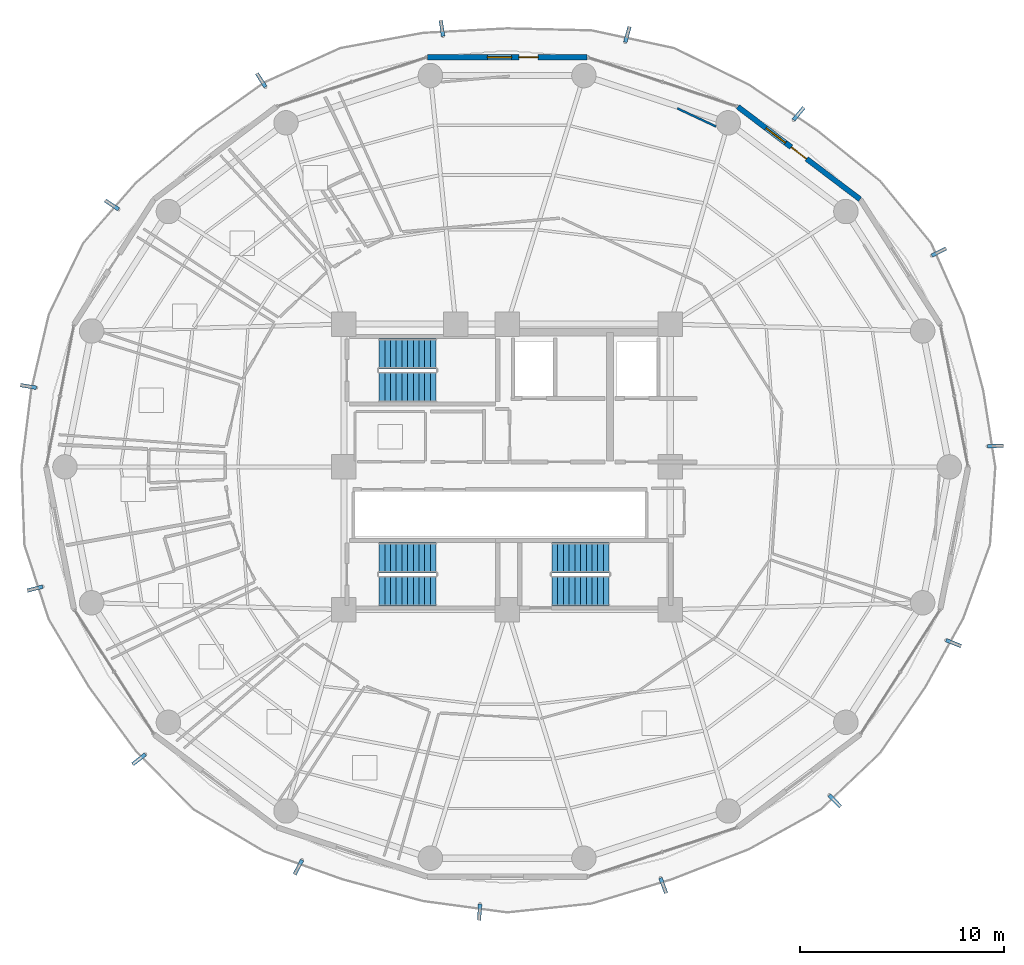
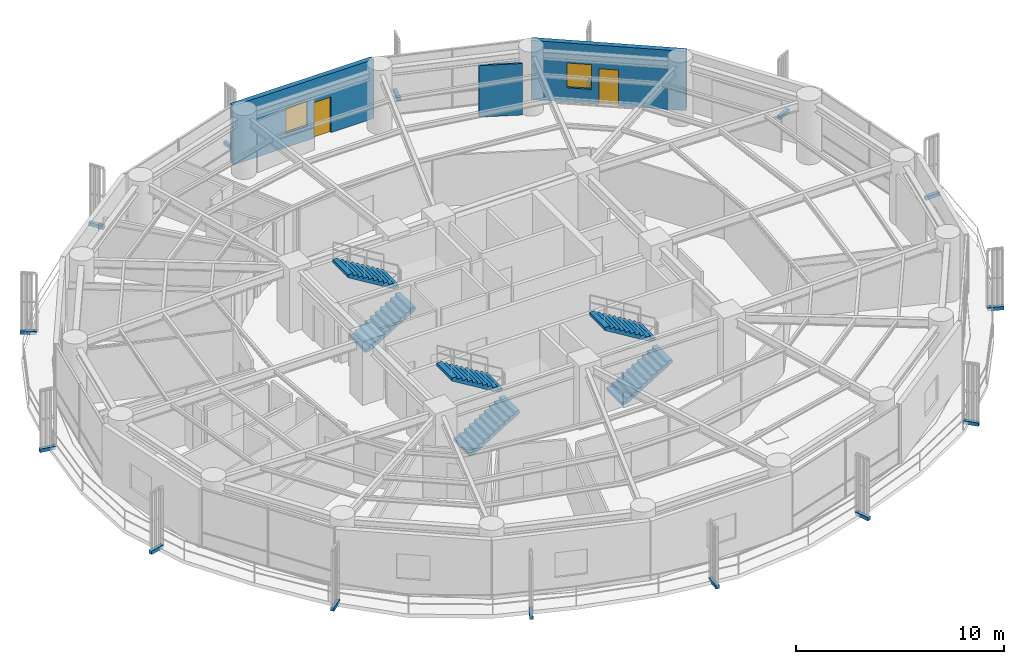
# One storey, part 24 of 28: 15 discrete accessories, 6 stair flights, 3 walls, 2 doors, 2 windows, 4 openings, 3 elements without a shape of their own.
"""IFC4 building model written with IfcOpenShell, lengths in metres."""

from ifc_helpers import new_model, si_unit, direction, frame, frame_2d, origin, origin_2d, place, context, subcontext, project, spatial, polyline, rectangle, outline, extrude, source, transform, mapped, material, layer, layer_set, type_object, element, fill, aggregate, save


model = new_model("IFC4")

# Units and contexts
model_context = context("Model", 3, precision=1e-05, world=origin(), true_north=direction((0.0, 1.0)))
body_context = subcontext(model_context, "Body", "Model", "MODEL_VIEW")
ifc_project = project(units=[si_unit("LENGTHUNIT", "METRE"), si_unit("AREAUNIT", "SQUARE_METRE"), si_unit("VOLUMEUNIT", "CUBIC_METRE"), si_unit("PLANEANGLEUNIT", "RADIAN"), si_unit("MASSUNIT", "GRAM", prefix="KILO")], contexts=[model_context])

# Site, building, storey
site_placement = place(None, origin())
site = spatial("IfcSite", under=ifc_project, at=site_placement, CompositionType="ELEMENT")
building_placement = place(site_placement, origin())
building = spatial("IfcBuilding", under=site, at=building_placement, Name="Kelanora Arch Commons", CompositionType="ELEMENT")
storey_placement = place(building_placement, frame((0.0, 0.0, 180.60009765625)))
storey = spatial("IfcBuildingStorey", under=building, at=storey_placement, Name="L46", CompositionType="ELEMENT", Elevation=180.60009765625)

# Wall, openings, door, window
ifc_material_1 = material(Name="Precast concrete C40/50 with terracotta rainscreen", Category="masonry")
ifc_layer_1 = layer(ifc_material_1, 0.260009765625)
ifc_layer_set_1 = layer_set([ifc_layer_1], Name="Precast concrete C40/50 with terracotta rainscreen")
wall_type_1 = type_object("IfcWallType", Name="W-EXT-TC", PredefinedType="SOLIDWALL", material=ifc_layer_set_1)
wall_1_placement = place(storey_placement, frame((91.300537109375, 71.1220703125, 0.0), z_axis=(0.0, 0.0, 1.0), x_axis=(-0.797163719609, 0.603763202042, 0.0)))
wall_1 = element("IfcWall", 1, at=wall_1_placement, inside=storey, type_object=wall_type_1, Name="Terracotta Exterior Wall L46-B02", PredefinedType="SOLIDWALL", context=body_context, shape_type="SweptSolid", body=[
    extrude(rectangle(XDim=7.51220703125, YDim=0.260009765625, at=frame_2d((3.756103515625, 0.0))), origin(), (0.0, 0.0, 1.0), 3.474853515625),
])
opening_1_placement = place(wall_1_placement, frame((3.281005859375, 0.0, 0.0)))
opening_1 = element("IfcOpeningElement", 2, at=opening_1_placement, cuts=wall_1, Name="Opening DB-01", PredefinedType="OPENING", context=body_context, shape_type="SweptSolid", body=[
    extrude(rectangle(XDim=0.949951171875, YDim=2.10009765625, at=frame_2d((0.47509765625, 1.050048828125))), frame((0.0, 0.14013671875, 0.0), z_axis=(0.0, -1.0, 0.0), x_axis=(1.0, 0.0, 0.0)), (0.0, 0.0, 1.0), 0.280029296875),
])
opening_2_placement = place(wall_1_placement, frame((4.5810546875, 0.0, 0.85009765625)))
opening_2 = element("IfcOpeningElement", 3, at=opening_2_placement, cuts=wall_1, Name="Opening WN-02", PredefinedType="OPENING", context=body_context, shape_type="SweptSolid", body=[
    extrude(rectangle(XDim=1.199951171875, YDim=1.449951171875, at=frame_2d((0.60009765625, 0.72509765625))), frame((0.0, 0.14013671875, 0.0), z_axis=(0.0, -1.0, 0.0), x_axis=(1.0, 0.0, 0.0)), (0.0, 0.0, 1.0), 0.280029296875),
])
ifc_material_2 = material(Name="Terracotta-aluminium thermally broken glazed balcony door", Category="masonry")
door_type = type_object("IfcDoorType", Name="D-BAL-10", OperationType="NOTDEFINED", PredefinedType="DOOR", material=ifc_material_2)
door_1_placement = place(opening_1_placement, frame((0.949951171875, 0.0, 0.0), z_axis=(0.0, 0.0, 1.0), x_axis=(-1.0, 0.0, 0.0)))
door_1 = element("IfcDoor", 4, at=door_1_placement, inside=storey, type_object=door_type, Name="Wave Balcony Door L46-B02", OperationType="SINGLE_SWING_LEFT", OverallHeight=2.10009765625, OverallWidth=0.949951171875, PredefinedType="DOOR", context=body_context, shape_type="SweptSolid", body=[
    extrude(rectangle(XDim=0.949951171875, YDim=2.10009765625, at=frame_2d((0.47509765625, 1.050048828125))), frame((0.0, 0.02490234375, 0.0), z_axis=(0.0, -1.0, 0.0), x_axis=(1.0, 0.0, 0.0)), (0.0, 0.0, 1.0), 0.050048828125),
])
fill(opening_1, door_1)
ifc_material_3 = material(Name="Terracotta-anodised aluminium frame with operable awning sash", Category="masonry")
window_type = type_object("IfcWindowType", Name="WIN-CL-12", PartitioningType="SINGLE_PANEL", PredefinedType="WINDOW", material=ifc_material_3)
window_1_placement = place(opening_2_placement, origin())
window_1 = element("IfcWindow", 5, at=window_1_placement, inside=storey, type_object=window_type, Name="Co-Living Operable Window L46-B02", OverallHeight=1.449951171875, OverallWidth=1.199951171875, PartitioningType="SINGLE_PANEL", PredefinedType="WINDOW", context=body_context, shape_type="SweptSolid", body=[
    extrude(rectangle(XDim=1.199951171875, YDim=1.449951171875, at=frame_2d((0.60009765625, 0.72509765625))), frame((0.0, 0.030029296875, 0.0), z_axis=(0.0, -1.0, 0.0), x_axis=(1.0, 0.0, 0.0)), (0.0, 0.0, 1.0), 0.06005859375),
])
fill(opening_2, window_1)

wall_2_placement = place(storey_placement, frame((77.909423828125, 78.090087890625, 0.0), z_axis=(0.0, 0.0, 1.0), x_axis=(-1.0, 0.0, 0.0)))
wall_2 = element("IfcWall", 6, at=wall_2_placement, inside=storey, type_object=wall_type_1, Name="Terracotta Exterior Wall L46-B04", PredefinedType="SOLIDWALL", context=body_context, shape_type="SweptSolid", body=[
    extrude(rectangle(XDim=7.81884765625, YDim=0.260009765625, at=frame_2d((3.909423828125, 0.0))), origin(), (0.0, 0.0, 1.0), 3.474853515625),
])
opening_3_placement = place(wall_2_placement, frame((2.384033203125, 0.0, 0.0)))
opening_3 = element("IfcOpeningElement", 7, at=opening_3_placement, cuts=wall_2, Name="Opening DB-01", PredefinedType="OPENING", context=body_context, shape_type="SweptSolid", body=[
    extrude(rectangle(XDim=0.949951171875, YDim=2.10009765625, at=frame_2d((0.47509765625, 1.050048828125))), frame((0.0, 0.14013671875, 0.0), z_axis=(0.0, -1.0, 0.0), x_axis=(1.0, 0.0, 0.0)), (0.0, 0.0, 1.0), 0.280029296875),
])
opening_4_placement = place(wall_2_placement, frame((3.68408203125, 0.0, 0.85009765625)))
opening_4 = element("IfcOpeningElement", 8, at=opening_4_placement, cuts=wall_2, Name="Opening WN-02", PredefinedType="OPENING", context=body_context, shape_type="SweptSolid", body=[
    extrude(rectangle(XDim=1.199951171875, YDim=1.449951171875, at=frame_2d((0.60009765625, 0.72509765625))), frame((0.0, 0.14013671875, 0.0), z_axis=(0.0, -1.0, 0.0), x_axis=(1.0, 0.0, 0.0)), (0.0, 0.0, 1.0), 0.280029296875),
])
door_2_placement = place(opening_3_placement, frame((0.949951171875, 0.0, 0.0), z_axis=(0.0, 0.0, 1.0), x_axis=(-1.0, 0.0, 0.0)))
door_2 = element("IfcDoor", 9, at=door_2_placement, inside=storey, type_object=door_type, Name="Wave Balcony Door L46-B04", OperationType="SINGLE_SWING_LEFT", OverallHeight=2.10009765625, OverallWidth=0.949951171875, PredefinedType="DOOR", context=body_context, shape_type="SweptSolid", body=[
    extrude(rectangle(XDim=0.949951171875, YDim=2.10009765625, at=frame_2d((0.47509765625, 1.050048828125))), frame((0.0, 0.02490234375, 0.0), z_axis=(0.0, -1.0, 0.0), x_axis=(1.0, 0.0, 0.0)), (0.0, 0.0, 1.0), 0.050048828125),
])
fill(opening_3, door_2)
window_2_placement = place(opening_4_placement, origin())
window_2 = element("IfcWindow", 10, at=window_2_placement, inside=storey, type_object=window_type, Name="Co-Living Operable Window L46-B04", OverallHeight=1.449951171875, OverallWidth=1.199951171875, PartitioningType="SINGLE_PANEL", PredefinedType="WINDOW", context=body_context, shape_type="SweptSolid", body=[
    extrude(rectangle(XDim=1.199951171875, YDim=1.449951171875, at=frame_2d((0.60009765625, 0.72509765625))), frame((0.0, 0.030029296875, 0.0), z_axis=(0.0, -1.0, 0.0), x_axis=(1.0, 0.0, 0.0)), (0.0, 0.0, 1.0), 0.06005859375),
])
fill(opening_4, window_2)

# Wall
ifc_material_4 = material(Name="Lightweight fire-rated acoustic stud partition")
ifc_layer_2 = layer(ifc_material_4, 0.10009765625)
ifc_layer_set_2 = layer_set([ifc_layer_2], Name="Lightweight fire-rated acoustic stud partition")
wall_type_2 = type_object("IfcWallType", Name="W-PART-100", PredefinedType="PARTITIONING", material=ifc_layer_set_2)
wall_3_placement = place(storey_placement, frame((82.34375, 75.57861328125, 0.0), z_axis=(0.0, 0.0, 1.0), x_axis=(0.905482711563, -0.424383151246, 0.0)))
element("IfcWall", 11, at=wall_3_placement, inside=storey, type_object=wall_type_2, Name="North-East Quiet Study Commons L46 Enclosure Partition 7", PredefinedType="PARTITIONING", context=body_context, shape_type="SweptSolid", body=[
    extrude(rectangle(XDim=2.096435546875, YDim=0.10009765625, at=frame_2d((1.04833984375, 0.0))), origin(), (0.0, 0.0, 1.0), 3.02490234375),
])

# Stair, stair flights
ifc_material_5 = material(Name="Concrete C40/50", Category="concrete")
stair_type = type_object("IfcStairType", Name="STR-DL-375", PredefinedType="HALF_TURN_STAIR", material=ifc_material_5)
stair_1_placement = place(storey_placement, origin())
stair_1 = element("IfcStair", 12, at=stair_1_placement, inside=storey, type_object=stair_type, Name="L46 ST-T1", PredefinedType="HALF_TURN_STAIR")
stair_flight_type = type_object("IfcStairFlightType", Name="FLT-DL-375", PredefinedType="STRAIGHT", material=ifc_material_5)
stair_flight_1_placement = place(storey_placement, frame((67.719970703125, 61.919921875, 0.0), z_axis=(0.0, 0.0, 1.0), x_axis=(1.0, 0.0, 0.0)))
stair_flight_1 = element("IfcStairFlight", 13, at=stair_flight_1_placement, type_object=stair_flight_type, Name="ST-T1 flight 1", NumberOfRisers=11, NumberOfTreads=10, PredefinedType="STRAIGHT", RiserHeight=0.170454545, TreadLength=0.28, context=body_context, shape_type="SweptSolid", body=[
    extrude(outline(polyline([(0.0, 0.0), (0.0, 0.17041015625), (0.280029296875, 0.17041015625), (0.280029296875, 0.3408203125), (0.56005859375, 0.3408203125), (0.56005859375, 0.511474609375), (0.840087890625, 0.511474609375), (0.840087890625, 0.681884765625), (1.1201171875, 0.681884765625), (1.1201171875, 0.852294921875), (1.39990234375, 0.852294921875), (1.39990234375, 1.022705078125), (1.679931640625, 1.022705078125), (1.679931640625, 1.193115234375), (1.9599609375, 1.193115234375), (1.9599609375, 1.363525390625), (2.239990234375, 1.363525390625), (2.239990234375, 1.5341796875), (2.52001953125, 1.5341796875), (2.52001953125, 1.70458984375), (2.800048828125, 1.70458984375), (2.800048828125, 1.875), (2.800048828125, 1.529052734375), (0.288330078125, 0.0), (0.0, 0.0)])), frame((0.0, 0.739990234375, 0.0), z_axis=(0.0, -1.0, 0.0), x_axis=(1.0, 0.0, 0.0)), (0.0, 0.0, 1.0), 1.47998046875),
])
stair_flight_2_placement = place(storey_placement, frame((70.52001953125, 63.550048828125, 1.875), z_axis=(0.0, 0.0, 1.0), x_axis=(-1.0, 0.0, 0.0)))
stair_flight_2 = element("IfcStairFlight", 14, at=stair_flight_2_placement, type_object=stair_flight_type, Name="ST-T1 flight 2", NumberOfRisers=11, NumberOfTreads=10, PredefinedType="STRAIGHT", RiserHeight=0.170454545, TreadLength=0.28, context=body_context, shape_type="SweptSolid", body=[
    extrude(outline(polyline([(0.0, 0.0), (0.0, 0.17041015625), (0.280029296875, 0.17041015625), (0.280029296875, 0.3408203125), (0.56005859375, 0.3408203125), (0.56005859375, 0.511474609375), (0.840087890625, 0.511474609375), (0.840087890625, 0.681884765625), (1.1201171875, 0.681884765625), (1.1201171875, 0.852294921875), (1.39990234375, 0.852294921875), (1.39990234375, 1.022705078125), (1.679931640625, 1.022705078125), (1.679931640625, 1.193115234375), (1.9599609375, 1.193115234375), (1.9599609375, 1.363525390625), (2.239990234375, 1.363525390625), (2.239990234375, 1.5341796875), (2.52001953125, 1.5341796875), (2.52001953125, 1.70458984375), (2.800048828125, 1.70458984375), (2.800048828125, 1.875), (2.800048828125, 1.529052734375), (0.288330078125, 0.0), (0.0, 0.0)])), frame((0.0, 0.739990234375, 0.0), z_axis=(0.0, -1.0, 0.0), x_axis=(1.0, 0.0, 0.0)), (0.0, 0.0, 1.0), 1.47998046875),
])
aggregate(stair_1, [stair_flight_1, stair_flight_2])

stair_2_placement = place(storey_placement, origin())
stair_2 = element("IfcStair", 15, at=stair_2_placement, inside=storey, type_object=stair_type, Name="L46 ST-T2", PredefinedType="HALF_TURN_STAIR")
stair_flight_3_placement = place(storey_placement, frame((76.199951171875, 51.919921875, 0.0), z_axis=(0.0, 0.0, 1.0), x_axis=(1.0, 0.0, 0.0)))
stair_flight_3 = element("IfcStairFlight", 16, at=stair_flight_3_placement, type_object=stair_flight_type, Name="ST-T2 flight 1", NumberOfRisers=11, NumberOfTreads=10, PredefinedType="STRAIGHT", RiserHeight=0.170454545, TreadLength=0.28, context=body_context, shape_type="SweptSolid", body=[
    extrude(outline(polyline([(0.0, 0.0), (0.0, 0.17041015625), (0.280029296875, 0.17041015625), (0.280029296875, 0.3408203125), (0.56005859375, 0.3408203125), (0.56005859375, 0.511474609375), (0.840087890625, 0.511474609375), (0.840087890625, 0.681884765625), (1.1201171875, 0.681884765625), (1.1201171875, 0.852294921875), (1.39990234375, 0.852294921875), (1.39990234375, 1.022705078125), (1.679931640625, 1.022705078125), (1.679931640625, 1.193115234375), (1.9599609375, 1.193115234375), (1.9599609375, 1.363525390625), (2.239990234375, 1.363525390625), (2.239990234375, 1.5341796875), (2.52001953125, 1.5341796875), (2.52001953125, 1.70458984375), (2.800048828125, 1.70458984375), (2.800048828125, 1.875), (2.800048828125, 1.529052734375), (0.288330078125, 0.0), (0.0, 0.0)])), frame((0.0, 0.739990234375, 0.0), z_axis=(0.0, -1.0, 0.0), x_axis=(1.0, 0.0, 0.0)), (0.0, 0.0, 1.0), 1.47998046875),
])
stair_flight_4_placement = place(storey_placement, frame((79.0, 53.550048828125, 1.875), z_axis=(0.0, 0.0, 1.0), x_axis=(-1.0, 0.0, 0.0)))
stair_flight_4 = element("IfcStairFlight", 17, at=stair_flight_4_placement, type_object=stair_flight_type, Name="ST-T2 flight 2", NumberOfRisers=11, NumberOfTreads=10, PredefinedType="STRAIGHT", RiserHeight=0.170454545, TreadLength=0.28, context=body_context, shape_type="SweptSolid", body=[
    extrude(outline(polyline([(0.0, 0.0), (0.0, 0.17041015625), (0.280029296875, 0.17041015625), (0.280029296875, 0.3408203125), (0.56005859375, 0.3408203125), (0.56005859375, 0.511474609375), (0.840087890625, 0.511474609375), (0.840087890625, 0.681884765625), (1.1201171875, 0.681884765625), (1.1201171875, 0.852294921875), (1.39990234375, 0.852294921875), (1.39990234375, 1.022705078125), (1.679931640625, 1.022705078125), (1.679931640625, 1.193115234375), (1.9599609375, 1.193115234375), (1.9599609375, 1.363525390625), (2.239990234375, 1.363525390625), (2.239990234375, 1.5341796875), (2.52001953125, 1.5341796875), (2.52001953125, 1.70458984375), (2.800048828125, 1.70458984375), (2.800048828125, 1.875), (2.800048828125, 1.529052734375), (0.288330078125, 0.0), (0.0, 0.0)])), frame((0.0, 0.739990234375, 0.0), z_axis=(0.0, -1.0, 0.0), x_axis=(1.0, 0.0, 0.0)), (0.0, 0.0, 1.0), 1.47998046875),
])
aggregate(stair_2, [stair_flight_3, stair_flight_4])

stair_3_placement = place(storey_placement, origin())
stair_3 = element("IfcStair", 18, at=stair_3_placement, inside=storey, type_object=stair_type, Name="L46 ST-T3", PredefinedType="HALF_TURN_STAIR")
stair_flight_5_placement = place(storey_placement, frame((67.719970703125, 51.919921875, 0.0), z_axis=(0.0, 0.0, 1.0), x_axis=(1.0, 0.0, 0.0)))
stair_flight_5 = element("IfcStairFlight", 19, at=stair_flight_5_placement, type_object=stair_flight_type, Name="ST-T3 flight 1", NumberOfRisers=11, NumberOfTreads=10, PredefinedType="STRAIGHT", RiserHeight=0.170454545, TreadLength=0.28, context=body_context, shape_type="SweptSolid", body=[
    extrude(outline(polyline([(0.0, 0.0), (0.0, 0.17041015625), (0.280029296875, 0.17041015625), (0.280029296875, 0.3408203125), (0.56005859375, 0.3408203125), (0.56005859375, 0.511474609375), (0.840087890625, 0.511474609375), (0.840087890625, 0.681884765625), (1.1201171875, 0.681884765625), (1.1201171875, 0.852294921875), (1.39990234375, 0.852294921875), (1.39990234375, 1.022705078125), (1.679931640625, 1.022705078125), (1.679931640625, 1.193115234375), (1.9599609375, 1.193115234375), (1.9599609375, 1.363525390625), (2.239990234375, 1.363525390625), (2.239990234375, 1.5341796875), (2.52001953125, 1.5341796875), (2.52001953125, 1.70458984375), (2.800048828125, 1.70458984375), (2.800048828125, 1.875), (2.800048828125, 1.529052734375), (0.288330078125, 0.0), (0.0, 0.0)])), frame((0.0, 0.739990234375, 0.0), z_axis=(0.0, -1.0, 0.0), x_axis=(1.0, 0.0, 0.0)), (0.0, 0.0, 1.0), 1.47998046875),
])
stair_flight_6_placement = place(storey_placement, frame((70.52001953125, 53.550048828125, 1.875), z_axis=(0.0, 0.0, 1.0), x_axis=(-1.0, 0.0, 0.0)))
stair_flight_6 = element("IfcStairFlight", 20, at=stair_flight_6_placement, type_object=stair_flight_type, Name="ST-T3 flight 2", NumberOfRisers=11, NumberOfTreads=10, PredefinedType="STRAIGHT", RiserHeight=0.170454545, TreadLength=0.28, context=body_context, shape_type="SweptSolid", body=[
    extrude(outline(polyline([(0.0, 0.0), (0.0, 0.17041015625), (0.280029296875, 0.17041015625), (0.280029296875, 0.3408203125), (0.56005859375, 0.3408203125), (0.56005859375, 0.511474609375), (0.840087890625, 0.511474609375), (0.840087890625, 0.681884765625), (1.1201171875, 0.681884765625), (1.1201171875, 0.852294921875), (1.39990234375, 0.852294921875), (1.39990234375, 1.022705078125), (1.679931640625, 1.022705078125), (1.679931640625, 1.193115234375), (1.9599609375, 1.193115234375), (1.9599609375, 1.363525390625), (2.239990234375, 1.363525390625), (2.239990234375, 1.5341796875), (2.52001953125, 1.5341796875), (2.52001953125, 1.70458984375), (2.800048828125, 1.70458984375), (2.800048828125, 1.875), (2.800048828125, 1.529052734375), (0.288330078125, 0.0), (0.0, 0.0)])), frame((0.0, 0.739990234375, 0.0), z_axis=(0.0, -1.0, 0.0), x_axis=(1.0, 0.0, 0.0)), (0.0, 0.0, 1.0), 1.47998046875),
])
aggregate(stair_3, [stair_flight_5, stair_flight_6])

# Discrete accessories
ifc_material_6 = material(Name="Stainless steel 316 marine fin bracket", Category="steel")
discrete_accessory_type = type_object("IfcDiscreteAccessoryType", Name="ACC-FIN-BRK", PredefinedType="BRACKET", material=ifc_material_6)
shared_shape = source(origin(), body_context, "Body", "SweptSolid", [
    extrude(rectangle(XDim=0.791748046875, YDim=0.179931640625, at=origin_2d()), origin(), (0.0, 0.0, 1.0), 0.199951171875),
])
for number, where, z_axis, x_axis, name in (
    (21, (95.88720703125, 49.35986328125, -0.16015625), (0.0, 0.0, 1.0), (0.930161475141, -0.367150691357, 0.0), "Sweeping Fin Cantilever Spine Bracket L46-00"),
    (22, (97.944580078125, 59.02783203125, -0.16015625), (0.0, 0.0, 1.0), (0.999078430194, 0.042921909558, 0.0), "Sweeping Fin Cantilever Spine Bracket L46-01"),
    (23, (95.170166015625, 68.53564453125, -0.16015625), (0.0, 0.0, 1.0), (0.895245648325, 0.445572922377, 0.0), "Sweeping Fin Cantilever Spine Bracket L46-02"),
    (24, (88.294921875, 75.3154296875, -0.16015625), (0.0, 0.0, 1.0), (0.636616760808, 0.771180329014, 0.0), "Sweeping Fin Cantilever Spine Bracket L46-03"),
    (25, (79.8974609375, 79.205078125, -0.16015625), (0.0, 0.0, 1.0), (0.267911051866, 0.963443650811, 0.0), "Sweeping Fin Cantilever Spine Bracket L46-04"),
    (26, (70.802001953125, 79.50634765625, -0.16015625), (0.0, 0.0, 1.0), (-0.147118911839, 0.989118812772, 0.0), "Sweeping Fin Cantilever Spine Bracket L46-05"),
    (27, (61.941162109375, 76.95947265625, -0.16015625), (0.0, 0.0, 1.0), (-0.536710679153, 0.843766346142, 0.0), "Sweeping Fin Cantilever Spine Bracket L46-06"),
    (28, (54.62060546875, 70.847412109375, -0.16015625), (0.0, 0.0, 1.0), (-0.833500294179, 0.552519012888, 0.0), "Sweeping Fin Cantilever Spine Bracket L46-07"),
    (29, (50.5283203125, 61.945556640625, -0.16015625), (0.0, 0.0, 1.0), (-0.986170136229, 0.165736122828, 0.0), "Sweeping Fin Cantilever Spine Bracket L46-08"),
    (30, (50.851318359375, 52.031494140625, -0.16015625), (0.0, 0.0, 1.0), (-0.96832220265, -0.249704048534, 0.0), "Sweeping Fin Cantilever Spine Bracket L46-09"),
    (31, (55.95166015625, 43.665283203125, -0.16015625), (0.0, 0.0, 1.0), (-0.783042563302, -0.621968121415, 0.0), "Sweeping Fin Cantilever Spine Bracket L46-10"),
    (32, (63.76318359375, 38.37060546875, -0.16015625), (0.0, 0.0, 1.0), (-0.462367751041, -0.886688255701, 0.0), "Sweeping Fin Cantilever Spine Bracket L46-11"),
    (33, (72.648681640625, 36.16748046875, -0.16015625), (0.0, 0.0, 1.0), (-0.061745354146, -0.998091935265, 0.0), "Sweeping Fin Cantilever Spine Bracket L46-12"),
    (34, (81.656494140625, 37.476318359375, -0.16015625), (0.0, 0.0, 1.0), (0.349553375421, -0.936916451842, 0.0), "Sweeping Fin Cantilever Spine Bracket L46-13"),
    (35, (90.068115234375, 41.624755859375, -0.16015625), (0.0, 0.0, 1.0), (0.700411150784, -0.713739602276, 0.0), "Sweeping Fin Cantilever Spine Bracket L46-14"),
):
    element("IfcDiscreteAccessory", number, at=place(storey_placement, frame(where, z_axis=z_axis, x_axis=x_axis)), inside=storey, type_object=discrete_accessory_type, Name=name, PredefinedType="BRACKET", context=body_context, shape_type="MappedRepresentation", body=[
        mapped(shared_shape, transform((0.0, 0.0, 0.0), scale=1.0)),
    ])

save(model, "model.ifc")
